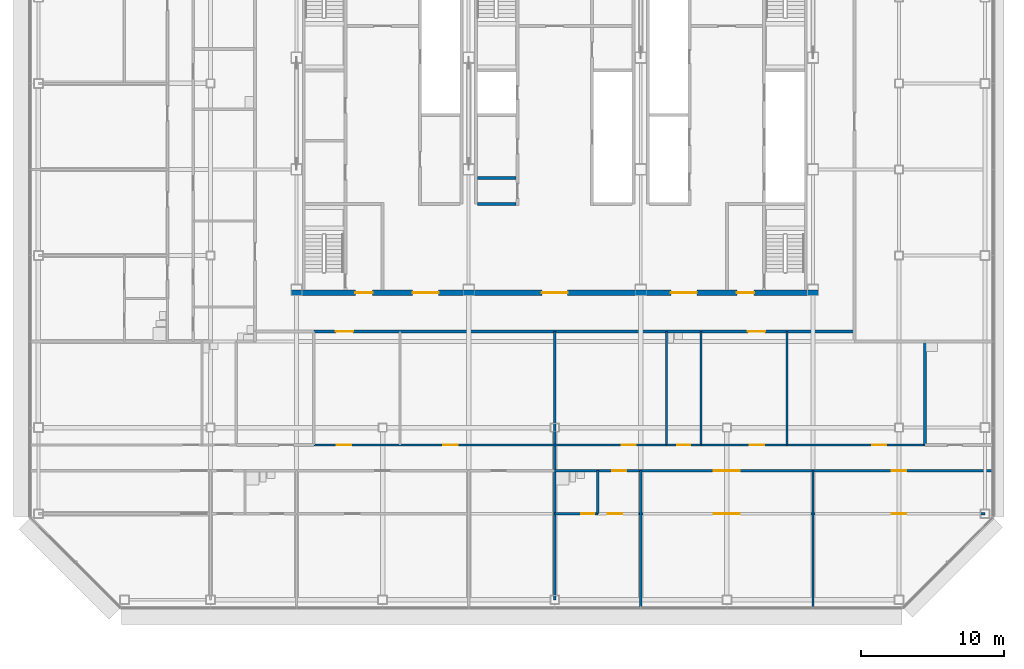
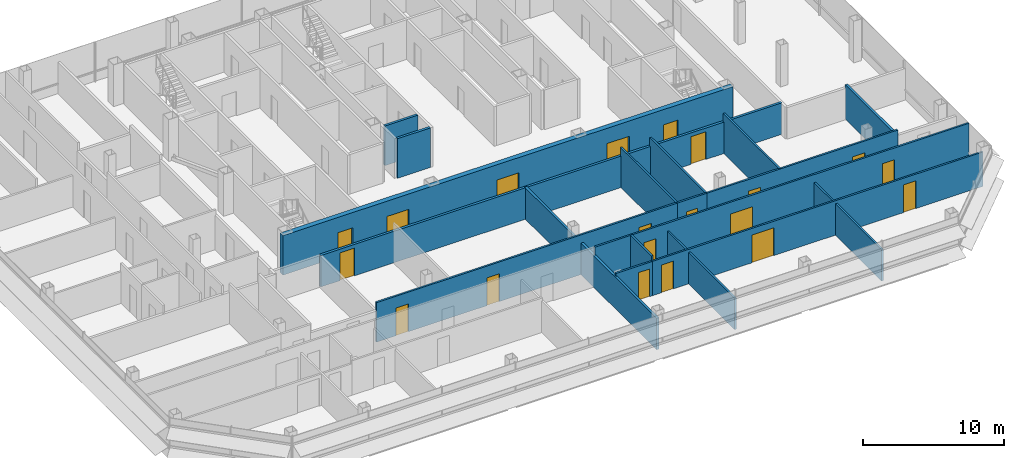
# One storey, part 21 of 26: 20 doors, 19 walls, 20 openings.
"""IFC4 building model written with IfcOpenShell, lengths in metres."""

from ifc_helpers import new_model, si_unit, direction, frame, frame_2d, origin, place, context, subcontext, project, spatial, rectangle, extrude, material, layer, layer_set, type_object, element, fill, save


model = new_model("IFC4")

# Units and contexts
model_context = context("Model", 3, precision=1e-05, world=origin(), true_north=direction((0.0, 1.0)))
body_context = subcontext(model_context, "Body", "Model", "MODEL_VIEW")
ifc_project = project(units=[si_unit("LENGTHUNIT", "METRE"), si_unit("AREAUNIT", "SQUARE_METRE"), si_unit("VOLUMEUNIT", "CUBIC_METRE"), si_unit("PLANEANGLEUNIT", "RADIAN"), si_unit("MASSUNIT", "GRAM", prefix="KILO")], contexts=[model_context])

# Site, building, storey
site_placement = place(None, origin())
site = spatial("IfcSite", under=ifc_project, at=site_placement, CompositionType="ELEMENT")
building_placement = place(site_placement, origin())
building = spatial("IfcBuilding", under=site, at=building_placement, Name="Sorahane Residences", CompositionType="ELEMENT")
storey_placement = place(building_placement, frame((0.0, 0.0, 219.0)))
storey = spatial("IfcBuildingStorey", under=building, at=storey_placement, Name="L51", CompositionType="ELEMENT", Elevation=219.0)

# Wall, openings, doors
ifc_material_1 = material(Name="Concrete blockwork C20 wall", Category="masonry")
ifc_layer_1 = layer(ifc_material_1, 0.199951171875)
ifc_layer_set_1 = layer_set([ifc_layer_1], Name="Corridor wall 200 EI 120")
wall_type_1 = type_object("IfcWallType", Name="Corridor wall 200 EI 120", PredefinedType="SOLIDWALL", material=ifc_layer_set_1)
wall_1_placement = place(storey_placement, frame((7.199951171875, 18.699951171875, 0.0), z_axis=(0.0, 0.0, 1.0), x_axis=(1.0, 0.0, 0.0)))
wall_1 = element("IfcWall", 1, at=wall_1_placement, inside=storey, type_object=wall_type_1, Name="L51 corridor wall", PredefinedType="SOLIDWALL", context=body_context, shape_type="SweptSolid", body=[
    extrude(rectangle(XDim=37.699951171875, YDim=0.199951171875, at=frame_2d((18.85009765625, 0.0))), origin(), (0.0, 0.0, 1.0), 2.719970703125),
])
opening_1_placement = place(wall_1_placement, frame((1.5400390625, 0.0, 0.0)))
opening_1 = element("IfcOpeningElement", 2, at=opening_1_placement, cuts=wall_1, Name="Opening L51-38", PredefinedType="OPENING", context=body_context, shape_type="SweptSolid", body=[
    extrude(rectangle(XDim=1.199951171875, YDim=2.39990234375, at=frame_2d((0.60009765625, 1.199951171875))), frame((0.0, 0.10986328125, 0.0), z_axis=(0.0, -1.0, 0.0), x_axis=(1.0, 0.0, 0.0)), (0.0, 0.0, 1.0), 0.219970703125),
])
opening_2_placement = place(wall_1_placement, frame((30.260009765625, 0.0, 0.0)))
opening_2 = element("IfcOpeningElement", 3, at=opening_2_placement, cuts=wall_1, Name="Opening L51-39", PredefinedType="OPENING", context=body_context, shape_type="SweptSolid", body=[
    extrude(rectangle(XDim=1.199951171875, YDim=2.39990234375, at=frame_2d((0.60009765625, 1.199951171875))), frame((0.0, 0.10986328125, 0.0), z_axis=(0.0, -1.0, 0.0), x_axis=(1.0, 0.0, 0.0)), (0.0, 0.0, 1.0), 0.219970703125),
])
ifc_material_2 = material(Name="Timber veneered fire door", Category="wood")
door_type_1 = type_object("IfcDoorType", Name="Flat entrance door 1200x2400 FD60", OperationType="NOTDEFINED", PredefinedType="DOOR", material=ifc_material_2)
door_1_placement = place(opening_1_placement, frame((1.199951171875, 0.0, 0.0), z_axis=(0.0, 0.0, 1.0), x_axis=(-1.0, 0.0, 0.0)))
door_1 = element("IfcDoor", 4, at=door_1_placement, inside=storey, type_object=door_type_1, Name="Flat entrance door L51-38", OperationType="SINGLE_SWING_RIGHT", OverallHeight=2.39990234375, OverallWidth=1.199951171875, PredefinedType="DOOR", context=body_context, shape_type="SweptSolid", body=[
    extrude(rectangle(XDim=1.199951171875, YDim=2.39990234375, at=frame_2d((0.60009765625, 1.199951171875))), frame((0.0, 0.02490234375, 0.0), z_axis=(0.0, -1.0, 0.0), x_axis=(1.0, 0.0, 0.0)), (0.0, 0.0, 1.0), 0.050048828125),
])
fill(opening_1, door_1)
door_2_placement = place(opening_2_placement, frame((1.199951171875, 0.0, 0.0), z_axis=(0.0, 0.0, 1.0), x_axis=(-1.0, 0.0, 0.0)))
door_2 = element("IfcDoor", 5, at=door_2_placement, inside=storey, type_object=door_type_1, Name="Flat entrance door L51-39", OperationType="SINGLE_SWING_LEFT", OverallHeight=2.39990234375, OverallWidth=1.199951171875, PredefinedType="DOOR", context=body_context, shape_type="SweptSolid", body=[
    extrude(rectangle(XDim=1.199951171875, YDim=2.39990234375, at=frame_2d((0.60009765625, 1.199951171875))), frame((0.0, 0.02490234375, 0.0), z_axis=(0.0, -1.0, 0.0), x_axis=(1.0, 0.0, 0.0)), (0.0, 0.0, 1.0), 0.050048828125),
])
fill(opening_2, door_2)

# Walls
ifc_material_3 = material(Name="Concrete blockwork C20 wall", Category="masonry")
ifc_layer_2 = layer(ifc_material_3, 0.199951171875)
ifc_layer_set_2 = layer_set([ifc_layer_2], Name="Kitchen wall 200 EI 180")
wall_type_2 = type_object("IfcWallType", Name="Kitchen wall 200 EI 180", PredefinedType="SOLIDWALL", material=ifc_layer_set_2)
wall_2_placement = place(storey_placement, frame((49.800048828125, 10.800048828125, 0.0), z_axis=(0.0, 0.0, 1.0), x_axis=(0.0, 1.0, 0.0)))
element("IfcWall", 6, at=wall_2_placement, inside=storey, type_object=wall_type_2, Name="L51 kitchen wall", PredefinedType="SOLIDWALL", context=body_context, shape_type="SweptSolid", body=[
    extrude(rectangle(XDim=7.199951171875, YDim=0.199951171875, at=frame_2d((3.60009765625, 0.0))), origin(), (0.0, 0.0, 1.0), 2.969970703125),
])
ifc_material_4 = material(Name="Gypsum board partition on steel studs", Category="steel")
ifc_layer_3 = layer(ifc_material_4, 0.14990234375)
ifc_layer_set_3 = layer_set([ifc_layer_3], Name="Partition 150 EI 90")
wall_type_3 = type_object("IfcWallType", Name="Partition 150 EI 90", PredefinedType="PARTITIONING", material=ifc_layer_set_3)
wall_3_placement = place(storey_placement, frame((30.0, -0.60009765625, 0.0), z_axis=(0.0, 0.0, 1.0), x_axis=(0.0, 1.0, 0.0)))
element("IfcWall", 7, at=wall_3_placement, inside=storey, type_object=wall_type_3, Name="L51 partition", PredefinedType="PARTITIONING", context=body_context, shape_type="SweptSolid", body=[
    extrude(rectangle(XDim=9.60009765625, YDim=0.14990234375, at=frame_2d((4.800048828125, 0.0))), origin(), (0.0, 0.0, 1.0), 2.719970703125),
])
wall_4_placement = place(storey_placement, frame((40.199951171875, 10.800048828125, 0.0), z_axis=(0.0, 0.0, 1.0), x_axis=(0.0, 1.0, 0.0)))
element("IfcWall", 8, at=wall_4_placement, inside=storey, type_object=wall_type_3, Name="L51 partition", PredefinedType="PARTITIONING", context=body_context, shape_type="SweptSolid", body=[
    extrude(rectangle(XDim=7.89990234375, YDim=0.14990234375, at=frame_2d((3.949951171875, 0.0))), origin(), (0.0, 0.0, 1.0), 3.419921875),
])
wall_5_placement = place(storey_placement, frame((42.0, -0.60009765625, 0.0), z_axis=(0.0, 0.0, 1.0), x_axis=(0.0, 1.0, 0.0)))
element("IfcWall", 9, at=wall_5_placement, inside=storey, type_object=wall_type_3, Name="L51 partition", PredefinedType="PARTITIONING", context=body_context, shape_type="SweptSolid", body=[
    extrude(rectangle(XDim=9.60009765625, YDim=0.14990234375, at=frame_2d((4.800048828125, 0.0))), origin(), (0.0, 0.0, 1.0), 2.719970703125),
])

# Wall, openings, doors
wall_6_placement = place(storey_placement, frame((7.199951171875, 10.800048828125, 0.0), z_axis=(0.0, 0.0, 1.0), x_axis=(1.0, 0.0, 0.0)))
wall_6 = element("IfcWall", 10, at=wall_6_placement, inside=storey, type_object=wall_type_3, Name="L51 partition", PredefinedType="PARTITIONING", context=body_context, shape_type="SweptSolid", body=[
    extrude(rectangle(XDim=24.60009765625, YDim=0.14990234375, at=frame_2d((12.300048828125, 0.0))), origin(), (0.0, 0.0, 1.0), 3.419921875),
])
opening_3_placement = place(wall_6_placement, frame((1.60009765625, 0.0, 0.0)))
opening_3 = element("IfcOpeningElement", 11, at=opening_3_placement, cuts=wall_6, Name="Opening L51-01", PredefinedType="OPENING", context=body_context, shape_type="SweptSolid", body=[
    extrude(rectangle(XDim=1.0, YDim=2.39990234375, at=frame_2d((0.5, 1.199951171875))), frame((0.0, 0.0849609375, 0.0), z_axis=(0.0, -1.0, 0.0), x_axis=(1.0, 0.0, 0.0)), (0.0, 0.0, 1.0), 0.169921875),
])
opening_4_placement = place(wall_6_placement, frame((9.0400390625, 0.0, 0.0)))
opening_4 = element("IfcOpeningElement", 12, at=opening_4_placement, cuts=wall_6, Name="Opening L51-05", PredefinedType="OPENING", context=body_context, shape_type="SweptSolid", body=[
    extrude(rectangle(XDim=1.0, YDim=2.39990234375, at=frame_2d((0.5, 1.199951171875))), frame((0.0, 0.0849609375, 0.0), z_axis=(0.0, -1.0, 0.0), x_axis=(1.0, 0.0, 0.0)), (0.0, 0.0, 1.0), 0.169921875),
])
opening_5_placement = place(wall_6_placement, frame((21.4599609375, 0.0, 0.0)))
opening_5 = element("IfcOpeningElement", 13, at=opening_5_placement, cuts=wall_6, Name="Opening L51-15", PredefinedType="OPENING", context=body_context, shape_type="SweptSolid", body=[
    extrude(rectangle(XDim=1.0, YDim=2.39990234375, at=frame_2d((0.5, 1.199951171875))), frame((0.0, 0.0849609375, 0.0), z_axis=(0.0, -1.0, 0.0), x_axis=(1.0, 0.0, 0.0)), (0.0, 0.0, 1.0), 0.169921875),
])
ifc_material_5 = material(Name="Timber veneered fire door", Category="wood")
door_type_2 = type_object("IfcDoorType", Name="Room door 1000x2400 FD30", OperationType="NOTDEFINED", PredefinedType="DOOR", material=ifc_material_5)
door_3_placement = place(opening_3_placement, frame((1.0, 0.0, 0.0), z_axis=(0.0, 0.0, 1.0), x_axis=(-1.0, 0.0, 0.0)))
door_3 = element("IfcDoor", 14, at=door_3_placement, inside=storey, type_object=door_type_2, Name="Room door L51-01", OperationType="SINGLE_SWING_RIGHT", OverallHeight=2.39990234375, OverallWidth=1.0, PredefinedType="DOOR", context=body_context, shape_type="SweptSolid", body=[
    extrude(rectangle(XDim=1.0, YDim=2.39990234375, at=frame_2d((0.5, 1.199951171875))), frame((0.0, 0.02490234375, 0.0), z_axis=(0.0, -1.0, 0.0), x_axis=(1.0, 0.0, 0.0)), (0.0, 0.0, 1.0), 0.050048828125),
])
fill(opening_3, door_3)
door_4_placement = place(opening_4_placement, origin())
door_4 = element("IfcDoor", 15, at=door_4_placement, inside=storey, type_object=door_type_2, Name="Room door L51-05", OperationType="SINGLE_SWING_LEFT", OverallHeight=2.39990234375, OverallWidth=1.0, PredefinedType="DOOR", context=body_context, shape_type="SweptSolid", body=[
    extrude(rectangle(XDim=1.0, YDim=2.39990234375, at=frame_2d((0.5, 1.199951171875))), frame((0.0, 0.02490234375, 0.0), z_axis=(0.0, -1.0, 0.0), x_axis=(1.0, 0.0, 0.0)), (0.0, 0.0, 1.0), 0.050048828125),
])
fill(opening_4, door_4)
door_5_placement = place(opening_5_placement, origin())
door_5 = element("IfcDoor", 16, at=door_5_placement, inside=storey, type_object=door_type_2, Name="Room door L51-15", OperationType="SINGLE_SWING_RIGHT", OverallHeight=2.39990234375, OverallWidth=1.0, PredefinedType="DOOR", context=body_context, shape_type="SweptSolid", body=[
    extrude(rectangle(XDim=1.0, YDim=2.39990234375, at=frame_2d((0.5, 1.199951171875))), frame((0.0, 0.02490234375, 0.0), z_axis=(0.0, -1.0, 0.0), x_axis=(1.0, 0.0, 0.0)), (0.0, 0.0, 1.0), 0.050048828125),
])
fill(opening_5, door_5)

wall_7_placement = place(storey_placement, frame((34.199951171875, 10.800048828125, 0.0), z_axis=(0.0, 0.0, 1.0), x_axis=(1.0, 0.0, 0.0)))
wall_7 = element("IfcWall", 17, at=wall_7_placement, inside=storey, type_object=wall_type_3, Name="L51 partition", PredefinedType="PARTITIONING", context=body_context, shape_type="SweptSolid", body=[
    extrude(rectangle(XDim=15.60009765625, YDim=0.14990234375, at=frame_2d((7.800048828125, 0.0))), origin(), (0.0, 0.0, 1.0), 3.419921875),
])
opening_6_placement = place(wall_7_placement, frame((3.39990234375, 0.0, 0.0)))
opening_6 = element("IfcOpeningElement", 18, at=opening_6_placement, cuts=wall_7, Name="Opening L51-14", PredefinedType="OPENING", context=body_context, shape_type="SweptSolid", body=[
    extrude(rectangle(XDim=1.0, YDim=2.39990234375, at=frame_2d((0.5, 1.199951171875))), frame((0.0, 0.0849609375, 0.0), z_axis=(0.0, -1.0, 0.0), x_axis=(1.0, 0.0, 0.0)), (0.0, 0.0, 1.0), 0.169921875),
])
opening_7_placement = place(wall_7_placement, frame((11.919921875, 0.0, 0.0)))
opening_7 = element("IfcOpeningElement", 19, at=opening_7_placement, cuts=wall_7, Name="Opening L51-17", PredefinedType="OPENING", context=body_context, shape_type="SweptSolid", body=[
    extrude(rectangle(XDim=1.0, YDim=2.39990234375, at=frame_2d((0.5, 1.199951171875))), frame((0.0, 0.0849609375, 0.0), z_axis=(0.0, -1.0, 0.0), x_axis=(1.0, 0.0, 0.0)), (0.0, 0.0, 1.0), 0.169921875),
])
door_6_placement = place(opening_6_placement, frame((1.0, 0.0, 0.0), z_axis=(0.0, 0.0, 1.0), x_axis=(-1.0, 0.0, 0.0)))
door_6 = element("IfcDoor", 20, at=door_6_placement, inside=storey, type_object=door_type_2, Name="Room door L51-14", OperationType="SINGLE_SWING_LEFT", OverallHeight=2.39990234375, OverallWidth=1.0, PredefinedType="DOOR", context=body_context, shape_type="SweptSolid", body=[
    extrude(rectangle(XDim=1.0, YDim=2.39990234375, at=frame_2d((0.5, 1.199951171875))), frame((0.0, 0.02490234375, 0.0), z_axis=(0.0, -1.0, 0.0), x_axis=(1.0, 0.0, 0.0)), (0.0, 0.0, 1.0), 0.050048828125),
])
fill(opening_6, door_6)
door_7_placement = place(opening_7_placement, origin())
door_7 = element("IfcDoor", 21, at=door_7_placement, inside=storey, type_object=door_type_2, Name="Room door L51-17", OperationType="SINGLE_SWING_RIGHT", OverallHeight=2.39990234375, OverallWidth=1.0, PredefinedType="DOOR", context=body_context, shape_type="SweptSolid", body=[
    extrude(rectangle(XDim=1.0, YDim=2.39990234375, at=frame_2d((0.5, 1.199951171875))), frame((0.0, 0.02490234375, 0.0), z_axis=(0.0, -1.0, 0.0), x_axis=(1.0, 0.0, 0.0)), (0.0, 0.0, 1.0), 0.050048828125),
])
fill(opening_7, door_7)

wall_8_placement = place(storey_placement, frame((27.0, 6.0, 0.0), z_axis=(0.0, 0.0, 1.0), x_axis=(1.0, 0.0, 0.0)))
wall_8 = element("IfcWall", 22, at=wall_8_placement, inside=storey, type_object=wall_type_3, Name="L51 partition", PredefinedType="PARTITIONING", context=body_context, shape_type="SweptSolid", body=[
    extrude(rectangle(XDim=27.0, YDim=0.14990234375, at=frame_2d((13.5, 0.0))), origin(), (0.0, 0.0, 1.0), 2.969970703125),
])
opening_8_placement = place(wall_8_placement, frame((0.699951171875, 0.0, 0.0)))
opening_8 = element("IfcOpeningElement", 23, at=opening_8_placement, cuts=wall_8, Name="Opening L51-22", PredefinedType="OPENING", context=body_context, shape_type="SweptSolid", body=[
    extrude(rectangle(XDim=1.0, YDim=2.39990234375, at=frame_2d((0.5, 1.199951171875))), frame((0.0, 0.0849609375, 0.0), z_axis=(0.0, -1.0, 0.0), x_axis=(1.0, 0.0, 0.0)), (0.0, 0.0, 1.0), 0.169921875),
])
opening_9_placement = place(wall_8_placement, frame((8.10009765625, 0.0, 0.0)))
opening_9 = element("IfcOpeningElement", 24, at=opening_9_placement, cuts=wall_8, Name="Opening L51-24", PredefinedType="OPENING", context=body_context, shape_type="SweptSolid", body=[
    extrude(rectangle(XDim=1.800048828125, YDim=2.39990234375, at=frame_2d((0.89990234375, 1.199951171875))), frame((0.0, 0.0849609375, 0.0), z_axis=(0.0, -1.0, 0.0), x_axis=(1.0, 0.0, 0.0)), (0.0, 0.0, 1.0), 0.169921875),
])
opening_10_placement = place(wall_8_placement, frame((20.5, 0.0, 0.0)))
opening_10 = element("IfcOpeningElement", 25, at=opening_10_placement, cuts=wall_8, Name="Opening L51-25", PredefinedType="OPENING", context=body_context, shape_type="SweptSolid", body=[
    extrude(rectangle(XDim=1.0, YDim=2.39990234375, at=frame_2d((0.5, 1.199951171875))), frame((0.0, 0.0849609375, 0.0), z_axis=(0.0, -1.0, 0.0), x_axis=(1.0, 0.0, 0.0)), (0.0, 0.0, 1.0), 0.169921875),
])
ifc_material_6 = material(Name="Timber veneered fire door", Category="wood")
door_type_3 = type_object("IfcDoorType", Name="Double door 1800x2400 FD30", OperationType="NOTDEFINED", PredefinedType="DOOR", material=ifc_material_6)
door_8_placement = place(opening_9_placement, frame((1.800048828125, 0.0, 0.0), z_axis=(0.0, 0.0, 1.0), x_axis=(-1.0, 0.0, 0.0)))
door_8 = element("IfcDoor", 26, at=door_8_placement, inside=storey, type_object=door_type_3, Name="Double door L51-24", OperationType="SINGLE_SWING_LEFT", OverallHeight=2.39990234375, OverallWidth=1.800048828125, PredefinedType="DOOR", context=body_context, shape_type="SweptSolid", body=[
    extrude(rectangle(XDim=1.800048828125, YDim=2.39990234375, at=frame_2d((0.89990234375, 1.199951171875))), frame((0.0, 0.02490234375, 0.0), z_axis=(0.0, -1.0, 0.0), x_axis=(1.0, 0.0, 0.0)), (0.0, 0.0, 1.0), 0.050048828125),
])
fill(opening_9, door_8)
door_9_placement = place(opening_8_placement, frame((1.0, 0.0, 0.0), z_axis=(0.0, 0.0, 1.0), x_axis=(-1.0, 0.0, 0.0)))
door_9 = element("IfcDoor", 27, at=door_9_placement, inside=storey, type_object=door_type_2, Name="Room door L51-22", OperationType="SINGLE_SWING_LEFT", OverallHeight=2.39990234375, OverallWidth=1.0, PredefinedType="DOOR", context=body_context, shape_type="SweptSolid", body=[
    extrude(rectangle(XDim=1.0, YDim=2.39990234375, at=frame_2d((0.5, 1.199951171875))), frame((0.0, 0.02490234375, 0.0), z_axis=(0.0, -1.0, 0.0), x_axis=(1.0, 0.0, 0.0)), (0.0, 0.0, 1.0), 0.050048828125),
])
fill(opening_8, door_9)
door_10_placement = place(opening_10_placement, frame((1.0, 0.0, 0.0), z_axis=(0.0, 0.0, 1.0), x_axis=(-1.0, 0.0, 0.0)))
door_10 = element("IfcDoor", 28, at=door_10_placement, inside=storey, type_object=door_type_2, Name="Room door L51-25", OperationType="SINGLE_SWING_RIGHT", OverallHeight=2.39990234375, OverallWidth=1.0, PredefinedType="DOOR", context=body_context, shape_type="SweptSolid", body=[
    extrude(rectangle(XDim=1.0, YDim=2.39990234375, at=frame_2d((0.5, 1.199951171875))), frame((0.0, 0.02490234375, 0.0), z_axis=(0.0, -1.0, 0.0), x_axis=(1.0, 0.0, 0.0)), (0.0, 0.0, 1.0), 0.050048828125),
])
fill(opening_10, door_10)

wall_9_placement = place(storey_placement, frame((27.0, 9.0, 0.0), z_axis=(0.0, 0.0, 1.0), x_axis=(1.0, 0.0, 0.0)))
wall_9 = element("IfcWall", 29, at=wall_9_placement, inside=storey, type_object=wall_type_3, Name="L51 partition", PredefinedType="PARTITIONING", context=body_context, shape_type="SweptSolid", body=[
    extrude(rectangle(XDim=27.60009765625, YDim=0.14990234375, at=frame_2d((13.800048828125, 0.0))), origin(), (0.0, 0.0, 1.0), 3.419921875),
])
opening_11_placement = place(wall_9_placement, frame((1.0, 0.0, 0.0)))
opening_11 = element("IfcOpeningElement", 30, at=opening_11_placement, cuts=wall_9, Name="Opening L51-19", PredefinedType="OPENING", context=body_context, shape_type="SweptSolid", body=[
    extrude(rectangle(XDim=1.0, YDim=2.39990234375, at=frame_2d((0.5, 1.199951171875))), frame((0.0, 0.0849609375, 0.0), z_axis=(0.0, -1.0, 0.0), x_axis=(1.0, 0.0, 0.0)), (0.0, 0.0, 1.0), 0.169921875),
])
opening_12_placement = place(wall_9_placement, frame((8.10009765625, 0.0, 0.0)))
opening_12 = element("IfcOpeningElement", 31, at=opening_12_placement, cuts=wall_9, Name="Opening L51-20", PredefinedType="OPENING", context=body_context, shape_type="SweptSolid", body=[
    extrude(rectangle(XDim=1.800048828125, YDim=2.39990234375, at=frame_2d((0.89990234375, 1.199951171875))), frame((0.0, 0.0849609375, 0.0), z_axis=(0.0, -1.0, 0.0), x_axis=(1.0, 0.0, 0.0)), (0.0, 0.0, 1.0), 0.169921875),
])
opening_13_placement = place(wall_9_placement, frame((20.5, 0.0, 0.0)))
opening_13 = element("IfcOpeningElement", 32, at=opening_13_placement, cuts=wall_9, Name="Opening L51-21", PredefinedType="OPENING", context=body_context, shape_type="SweptSolid", body=[
    extrude(rectangle(XDim=1.0, YDim=2.39990234375, at=frame_2d((0.5, 1.199951171875))), frame((0.0, 0.0849609375, 0.0), z_axis=(0.0, -1.0, 0.0), x_axis=(1.0, 0.0, 0.0)), (0.0, 0.0, 1.0), 0.169921875),
])
door_11_placement = place(opening_12_placement, frame((1.800048828125, 0.0, 0.0), z_axis=(0.0, 0.0, 1.0), x_axis=(-1.0, 0.0, 0.0)))
door_11 = element("IfcDoor", 33, at=door_11_placement, inside=storey, type_object=door_type_3, Name="Double door L51-20", OperationType="SINGLE_SWING_RIGHT", OverallHeight=2.39990234375, OverallWidth=1.800048828125, PredefinedType="DOOR", context=body_context, shape_type="SweptSolid", body=[
    extrude(rectangle(XDim=1.800048828125, YDim=2.39990234375, at=frame_2d((0.89990234375, 1.199951171875))), frame((0.0, 0.02490234375, 0.0), z_axis=(0.0, -1.0, 0.0), x_axis=(1.0, 0.0, 0.0)), (0.0, 0.0, 1.0), 0.050048828125),
])
fill(opening_12, door_11)
door_12_placement = place(opening_11_placement, frame((1.0, 0.0, 0.0), z_axis=(0.0, 0.0, 1.0), x_axis=(-1.0, 0.0, 0.0)))
door_12 = element("IfcDoor", 34, at=door_12_placement, inside=storey, type_object=door_type_2, Name="Room door L51-19", OperationType="SINGLE_SWING_RIGHT", OverallHeight=2.39990234375, OverallWidth=1.0, PredefinedType="DOOR", context=body_context, shape_type="SweptSolid", body=[
    extrude(rectangle(XDim=1.0, YDim=2.39990234375, at=frame_2d((0.5, 1.199951171875))), frame((0.0, 0.02490234375, 0.0), z_axis=(0.0, -1.0, 0.0), x_axis=(1.0, 0.0, 0.0)), (0.0, 0.0, 1.0), 0.050048828125),
])
fill(opening_11, door_12)
door_13_placement = place(opening_13_placement, frame((1.0, 0.0, 0.0), z_axis=(0.0, 0.0, 1.0), x_axis=(-1.0, 0.0, 0.0)))
door_13 = element("IfcDoor", 35, at=door_13_placement, inside=storey, type_object=door_type_2, Name="Room door L51-21", OperationType="SINGLE_SWING_RIGHT", OverallHeight=2.39990234375, OverallWidth=1.0, PredefinedType="DOOR", context=body_context, shape_type="SweptSolid", body=[
    extrude(rectangle(XDim=1.0, YDim=2.39990234375, at=frame_2d((0.5, 1.199951171875))), frame((0.0, 0.02490234375, 0.0), z_axis=(0.0, -1.0, 0.0), x_axis=(1.0, 0.0, 0.0)), (0.0, 0.0, 1.0), 0.050048828125),
])
fill(opening_13, door_13)

# Walls
ifc_material_7 = material(Name="Concrete blockwork C20 wall", Category="masonry")
ifc_layer_4 = layer(ifc_material_7, 0.199951171875)
ifc_layer_set_4 = layer_set([ifc_layer_4], Name="Party wall 200 EI 120")
wall_type_4 = type_object("IfcWallType", Name="Party wall 200 EI 120", PredefinedType="SOLIDWALL", material=ifc_layer_set_4)
wall_10_placement = place(storey_placement, frame((24.0, 0.0, 0.0), z_axis=(0.0, 0.0, 1.0), x_axis=(0.0, 1.0, 0.0)))
element("IfcWall", 36, at=wall_10_placement, inside=storey, type_object=wall_type_4, Name="L51 party wall", PredefinedType="SOLIDWALL", context=body_context, shape_type="SweptSolid", body=[
    extrude(rectangle(XDim=18.699951171875, YDim=0.199951171875, at=frame_2d((9.35009765625, 0.0))), origin(), (0.0, 0.0, 1.0), 2.719970703125),
])
ifc_material_8 = material(Name="Concrete C30", Category="concrete")
ifc_layer_5 = layer(ifc_material_8, 0.199951171875)
ifc_layer_set_5 = layer_set([ifc_layer_5], Name="Service room partition 200 EI 60")
wall_type_5 = type_object("IfcWallType", Name="Service room partition 200 EI 60", PredefinedType="PARTITIONING", material=ifc_layer_set_5)
for number, where, z_axis, x_axis, name in (
    (37, (18.60009765625, 27.60009765625, 0.0), (0.0, 0.0, 1.0), (1.0, 0.0, 0.0), "L51 service room wall"),
    (38, (18.60009765625, 29.39990234375, 0.0), (0.0, 0.0, 1.0), (1.0, 0.0, 0.0), "L51 service room wall"),
):
    element("IfcWall", number, at=place(storey_placement, frame(where, z_axis=z_axis, x_axis=x_axis)), inside=storey, type_object=wall_type_5, Name=name, PredefinedType="PARTITIONING", context=body_context, shape_type="SweptSolid", body=[
        extrude(rectangle(XDim=2.699951171875, YDim=0.199951171875, at=frame_2d((1.35009765625, 0.0))), origin(), (0.0, 0.0, 1.0), 3.419921875),
    ])

# Wall, openings, doors
ifc_material_9 = material(Name="Concrete C30", Category="concrete")
ifc_layer_6 = layer(ifc_material_9, 0.39990234375)
ifc_layer_set_6 = layer_set([ifc_layer_6], Name="Waiting hall wall 400 EI 120")
wall_type_6 = type_object("IfcWallType", Name="Waiting hall wall 400 EI 120", PredefinedType="SOLIDWALL", material=ifc_layer_set_6)
wall_11_placement = place(storey_placement, frame((5.60009765625, 21.39990234375, 0.0), z_axis=(0.0, 0.0, 1.0), x_axis=(1.0, 0.0, 0.0)))
wall_11 = element("IfcWall", 39, at=wall_11_placement, inside=storey, type_object=wall_type_6, Name="L51 waiting hall wall", PredefinedType="SOLIDWALL", context=body_context, shape_type="SweptSolid", body=[
    extrude(rectangle(XDim=36.7998046875, YDim=0.39990234375, at=frame_2d((18.39990234375, 0.0))), origin(), (0.0, 0.0, 1.0), 3.419921875),
])
opening_14_placement = place(wall_11_placement, frame((8.5, 0.0, 0.0)))
opening_14 = element("IfcOpeningElement", 40, at=opening_14_placement, cuts=wall_11, Name="Opening L51-C01", PredefinedType="OPENING", context=body_context, shape_type="SweptSolid", body=[
    extrude(rectangle(XDim=1.800048828125, YDim=2.10009765625, at=frame_2d((0.89990234375, 1.050048828125))), frame((0.0, 0.2099609375, 0.0), z_axis=(0.0, -1.0, 0.0), x_axis=(1.0, 0.0, 0.0)), (0.0, 0.0, 1.0), 0.419921875),
])
opening_15_placement = place(wall_11_placement, frame((17.5, 0.0, 0.0)))
opening_15 = element("IfcOpeningElement", 41, at=opening_15_placement, cuts=wall_11, Name="Opening L51-C02", PredefinedType="OPENING", context=body_context, shape_type="SweptSolid", body=[
    extrude(rectangle(XDim=1.800048828125, YDim=2.10009765625, at=frame_2d((0.89990234375, 1.050048828125))), frame((0.0, 0.2099609375, 0.0), z_axis=(0.0, -1.0, 0.0), x_axis=(1.0, 0.0, 0.0)), (0.0, 0.0, 1.0), 0.419921875),
])
opening_16_placement = place(wall_11_placement, frame((26.5, 0.0, 0.0)))
opening_16 = element("IfcOpeningElement", 42, at=opening_16_placement, cuts=wall_11, Name="Opening L51-C03", PredefinedType="OPENING", context=body_context, shape_type="SweptSolid", body=[
    extrude(rectangle(XDim=1.800048828125, YDim=2.10009765625, at=frame_2d((0.89990234375, 1.050048828125))), frame((0.0, 0.2099609375, 0.0), z_axis=(0.0, -1.0, 0.0), x_axis=(1.0, 0.0, 0.0)), (0.0, 0.0, 1.0), 0.419921875),
])
opening_17_placement = place(wall_11_placement, frame((4.5, 0.0, 0.0)))
opening_17 = element("IfcOpeningElement", 43, at=opening_17_placement, cuts=wall_11, Name="Opening L51-C04", PredefinedType="OPENING", context=body_context, shape_type="SweptSolid", body=[
    extrude(rectangle(XDim=1.199951171875, YDim=2.10009765625, at=frame_2d((0.60009765625, 1.050048828125))), frame((0.0, 0.2099609375, 0.0), z_axis=(0.0, -1.0, 0.0), x_axis=(1.0, 0.0, 0.0)), (0.0, 0.0, 1.0), 0.419921875),
])
opening_18_placement = place(wall_11_placement, frame((31.10009765625, 0.0, 0.0)))
opening_18 = element("IfcOpeningElement", 44, at=opening_18_placement, cuts=wall_11, Name="Opening L51-C05", PredefinedType="OPENING", context=body_context, shape_type="SweptSolid", body=[
    extrude(rectangle(XDim=1.199951171875, YDim=2.10009765625, at=frame_2d((0.60009765625, 1.050048828125))), frame((0.0, 0.2099609375, 0.0), z_axis=(0.0, -1.0, 0.0), x_axis=(1.0, 0.0, 0.0)), (0.0, 0.0, 1.0), 0.419921875),
])
ifc_material_10 = material(Name="Steel", Category="steel")
door_type_4 = type_object("IfcDoorType", Name="Stair front room door 1200x2100 FD120", OperationType="NOTDEFINED", PredefinedType="DOOR", material=ifc_material_10)
door_14_placement = place(opening_17_placement, frame((1.199951171875, 0.0, 0.0), z_axis=(0.0, 0.0, 1.0), x_axis=(-1.0, 0.0, 0.0)))
door_14 = element("IfcDoor", 45, at=door_14_placement, inside=storey, type_object=door_type_4, Name="Stair front room door Stair S4 front room L51", OperationType="SINGLE_SWING_LEFT", OverallHeight=2.10009765625, OverallWidth=1.199951171875, PredefinedType="DOOR", context=body_context, shape_type="SweptSolid", body=[
    extrude(rectangle(XDim=1.199951171875, YDim=2.10009765625, at=frame_2d((0.60009765625, 1.050048828125))), frame((0.0, 0.02490234375, 0.0), z_axis=(0.0, -1.0, 0.0), x_axis=(1.0, 0.0, 0.0)), (0.0, 0.0, 1.0), 0.050048828125),
])
fill(opening_17, door_14)
door_15_placement = place(opening_18_placement, frame((1.199951171875, 0.0, 0.0), z_axis=(0.0, 0.0, 1.0), x_axis=(-1.0, 0.0, 0.0)))
door_15 = element("IfcDoor", 46, at=door_15_placement, inside=storey, type_object=door_type_4, Name="Stair front room door Stair S5 front room L51", OperationType="SINGLE_SWING_LEFT", OverallHeight=2.10009765625, OverallWidth=1.199951171875, PredefinedType="DOOR", context=body_context, shape_type="SweptSolid", body=[
    extrude(rectangle(XDim=1.199951171875, YDim=2.10009765625, at=frame_2d((0.60009765625, 1.050048828125))), frame((0.0, 0.02490234375, 0.0), z_axis=(0.0, -1.0, 0.0), x_axis=(1.0, 0.0, 0.0)), (0.0, 0.0, 1.0), 0.050048828125),
])
fill(opening_18, door_15)
ifc_material_11 = material(Name="Steel", Category="steel")
door_type_5 = type_object("IfcDoorType", Name="Waiting hall door 1800x2100 FD60", OperationType="NOTDEFINED", PredefinedType="DOOR", material=ifc_material_11)
door_16_placement = place(opening_14_placement, frame((1.800048828125, 0.0, 0.0), z_axis=(0.0, 0.0, 1.0), x_axis=(-1.0, 0.0, 0.0)))
door_16 = element("IfcDoor", 47, at=door_16_placement, inside=storey, type_object=door_type_5, Name="Waiting hall door Residents' waiting hall L51", OperationType="SINGLE_SWING_LEFT", OverallHeight=2.10009765625, OverallWidth=1.800048828125, PredefinedType="DOOR", context=body_context, shape_type="SweptSolid", body=[
    extrude(rectangle(XDim=1.800048828125, YDim=2.10009765625, at=frame_2d((0.89990234375, 1.050048828125))), frame((0.0, 0.02490234375, 0.0), z_axis=(0.0, -1.0, 0.0), x_axis=(1.0, 0.0, 0.0)), (0.0, 0.0, 1.0), 0.050048828125),
])
fill(opening_14, door_16)
door_17_placement = place(opening_15_placement, frame((1.800048828125, 0.0, 0.0), z_axis=(0.0, 0.0, 1.0), x_axis=(-1.0, 0.0, 0.0)))
door_17 = element("IfcDoor", 48, at=door_17_placement, inside=storey, type_object=door_type_5, Name="Waiting hall door Residents' waiting hall L51", OperationType="SINGLE_SWING_LEFT", OverallHeight=2.10009765625, OverallWidth=1.800048828125, PredefinedType="DOOR", context=body_context, shape_type="SweptSolid", body=[
    extrude(rectangle(XDim=1.800048828125, YDim=2.10009765625, at=frame_2d((0.89990234375, 1.050048828125))), frame((0.0, 0.02490234375, 0.0), z_axis=(0.0, -1.0, 0.0), x_axis=(1.0, 0.0, 0.0)), (0.0, 0.0, 1.0), 0.050048828125),
])
fill(opening_15, door_17)
door_18_placement = place(opening_16_placement, frame((1.800048828125, 0.0, 0.0), z_axis=(0.0, 0.0, 1.0), x_axis=(-1.0, 0.0, 0.0)))
door_18 = element("IfcDoor", 49, at=door_18_placement, inside=storey, type_object=door_type_5, Name="Waiting hall door Residents' waiting hall L51", OperationType="SINGLE_SWING_LEFT", OverallHeight=2.10009765625, OverallWidth=1.800048828125, PredefinedType="DOOR", context=body_context, shape_type="SweptSolid", body=[
    extrude(rectangle(XDim=1.800048828125, YDim=2.10009765625, at=frame_2d((0.89990234375, 1.050048828125))), frame((0.0, 0.02490234375, 0.0), z_axis=(0.0, -1.0, 0.0), x_axis=(1.0, 0.0, 0.0)), (0.0, 0.0, 1.0), 0.050048828125),
])
fill(opening_16, door_18)

# Walls
ifc_material_12 = material(Name="Gypsum board partition on steel studs", Category="steel")
ifc_layer_7 = layer(ifc_material_12, 0.14990234375)
ifc_layer_set_7 = layer_set([ifc_layer_7], Name="Wet wall 150 EI 90")
wall_type_7 = type_object("IfcWallType", Name="Wet wall 150 EI 90", PredefinedType="PARTITIONING", material=ifc_layer_set_7)
wall_12_placement = place(storey_placement, frame((27.0, 6.0, 0.0), z_axis=(0.0, 0.0, 1.0), x_axis=(0.0, 1.0, 0.0)))
element("IfcWall", 50, at=wall_12_placement, inside=storey, type_object=wall_type_7, Name="L51 wet wall", PredefinedType="PARTITIONING", context=body_context, shape_type="SweptSolid", body=[
    extrude(rectangle(XDim=3.0, YDim=0.14990234375, at=frame_2d((1.5, 0.0))), origin(), (0.0, 0.0, 1.0), 3.419921875),
])
for number, where, z_axis, x_axis, name in (
    (51, (31.800048828125, 10.800048828125, 0.0), (0.0, 0.0, 1.0), (0.0, 1.0, 0.0), "L51 wet wall"),
    (52, (34.199951171875, 10.800048828125, 0.0), (0.0, 0.0, 1.0), (0.0, 1.0, 0.0), "L51 wet wall"),
):
    element("IfcWall", number, at=place(storey_placement, frame(where, z_axis=z_axis, x_axis=x_axis)), inside=storey, type_object=wall_type_7, Name=name, PredefinedType="PARTITIONING", context=body_context, shape_type="SweptSolid", body=[
        extrude(rectangle(XDim=7.89990234375, YDim=0.14990234375, at=frame_2d((3.949951171875, 0.0))), origin(), (0.0, 0.0, 1.0), 3.419921875),
    ])

# Wall, opening, door
wall_13_placement = place(storey_placement, frame((31.800048828125, 10.800048828125, 0.0), z_axis=(0.0, 0.0, 1.0), x_axis=(1.0, 0.0, 0.0)))
wall_13 = element("IfcWall", 53, at=wall_13_placement, inside=storey, type_object=wall_type_7, Name="L51 wet wall", PredefinedType="PARTITIONING", context=body_context, shape_type="SweptSolid", body=[
    extrude(rectangle(XDim=2.39990234375, YDim=0.14990234375, at=frame_2d((1.199951171875, 0.0))), origin(), (0.0, 0.0, 1.0), 3.419921875),
])
opening_19_placement = place(wall_13_placement, frame((0.75, 0.0, 0.0)))
opening_19 = element("IfcOpeningElement", 54, at=opening_19_placement, cuts=wall_13, Name="Opening L51-16", PredefinedType="OPENING", context=body_context, shape_type="SweptSolid", body=[
    extrude(rectangle(XDim=0.89990234375, YDim=2.39990234375, at=frame_2d((0.449951171875, 1.199951171875))), frame((0.0, 0.0849609375, 0.0), z_axis=(0.0, -1.0, 0.0), x_axis=(1.0, 0.0, 0.0)), (0.0, 0.0, 1.0), 0.169921875),
])
ifc_material_13 = material(Name="Timber veneered fire door", Category="wood")
door_type_6 = type_object("IfcDoorType", Name="Bathroom door 900x2400 FD30", OperationType="NOTDEFINED", PredefinedType="DOOR", material=ifc_material_13)
door_19_placement = place(opening_19_placement, frame((0.89990234375, 0.0, 0.0), z_axis=(0.0, 0.0, 1.0), x_axis=(-1.0, 0.0, 0.0)))
door_19 = element("IfcDoor", 55, at=door_19_placement, inside=storey, type_object=door_type_6, Name="Bathroom door L51-16", OperationType="SINGLE_SWING_RIGHT", OverallHeight=2.39990234375, OverallWidth=0.89990234375, PredefinedType="DOOR", context=body_context, shape_type="SweptSolid", body=[
    extrude(rectangle(XDim=0.89990234375, YDim=2.39990234375, at=frame_2d((0.449951171875, 1.199951171875))), frame((0.0, 0.02490234375, 0.0), z_axis=(0.0, -1.0, 0.0), x_axis=(1.0, 0.0, 0.0)), (0.0, 0.0, 1.0), 0.050048828125),
])
fill(opening_19, door_19)

wall_14_placement = place(storey_placement, frame((24.0, 6.0, 0.0), z_axis=(0.0, 0.0, 1.0), x_axis=(1.0, 0.0, 0.0)))
wall_14 = element("IfcWall", 56, at=wall_14_placement, inside=storey, type_object=wall_type_7, Name="L51 wet wall", PredefinedType="PARTITIONING", context=body_context, shape_type="SweptSolid", body=[
    extrude(rectangle(XDim=3.0, YDim=0.14990234375, at=frame_2d((1.5, 0.0))), origin(), (0.0, 0.0, 1.0), 2.969970703125),
])
opening_20_placement = place(wall_14_placement, frame((1.85009765625, 0.0, 0.0)))
opening_20 = element("IfcOpeningElement", 57, at=opening_20_placement, cuts=wall_14, Name="Opening L51-23", PredefinedType="OPENING", context=body_context, shape_type="SweptSolid", body=[
    extrude(rectangle(XDim=0.89990234375, YDim=2.39990234375, at=frame_2d((0.449951171875, 1.199951171875))), frame((0.0, 0.0849609375, 0.0), z_axis=(0.0, -1.0, 0.0), x_axis=(1.0, 0.0, 0.0)), (0.0, 0.0, 1.0), 0.169921875),
])
door_20_placement = place(opening_20_placement, frame((0.89990234375, 0.0, 0.0), z_axis=(0.0, 0.0, 1.0), x_axis=(-1.0, 0.0, 0.0)))
door_20 = element("IfcDoor", 58, at=door_20_placement, inside=storey, type_object=door_type_6, Name="Bathroom door L51-23", OperationType="SINGLE_SWING_RIGHT", OverallHeight=2.39990234375, OverallWidth=0.89990234375, PredefinedType="DOOR", context=body_context, shape_type="SweptSolid", body=[
    extrude(rectangle(XDim=0.89990234375, YDim=2.39990234375, at=frame_2d((0.449951171875, 1.199951171875))), frame((0.0, 0.02490234375, 0.0), z_axis=(0.0, -1.0, 0.0), x_axis=(1.0, 0.0, 0.0)), (0.0, 0.0, 1.0), 0.050048828125),
])
fill(opening_20, door_20)

# Wall
wall_15_placement = place(storey_placement, frame((24.0, 9.0, 0.0), z_axis=(0.0, 0.0, 1.0), x_axis=(1.0, 0.0, 0.0)))
element("IfcWall", 59, at=wall_15_placement, inside=storey, type_object=wall_type_7, Name="L51 wet wall", PredefinedType="PARTITIONING", context=body_context, shape_type="SweptSolid", body=[
    extrude(rectangle(XDim=3.0, YDim=0.14990234375, at=frame_2d((1.5, 0.0))), origin(), (0.0, 0.0, 1.0), 3.419921875),
])

save(model, "model.ifc")
